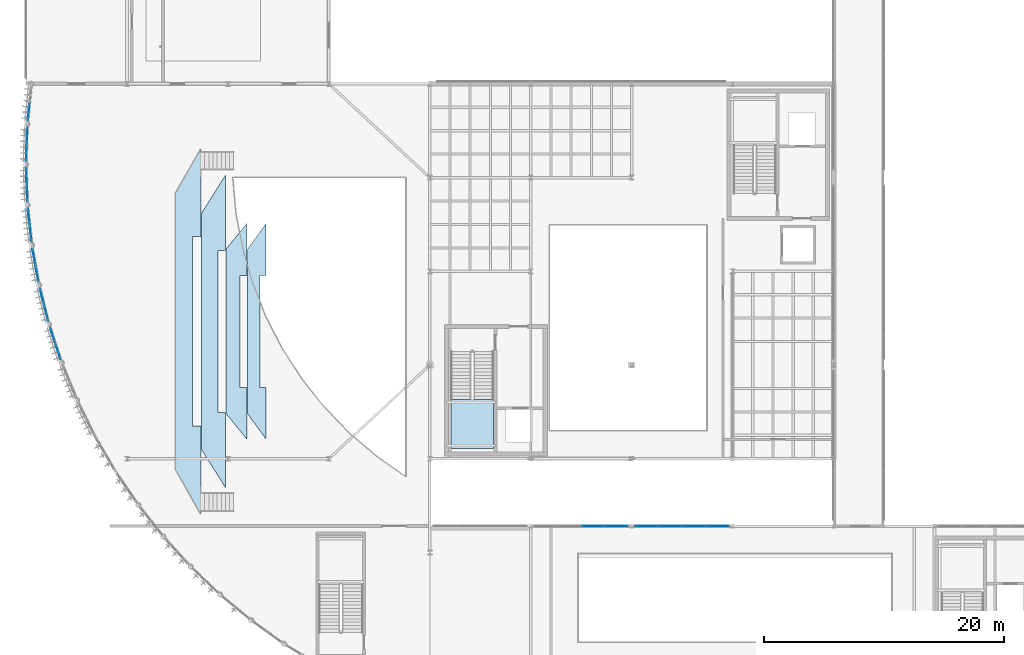
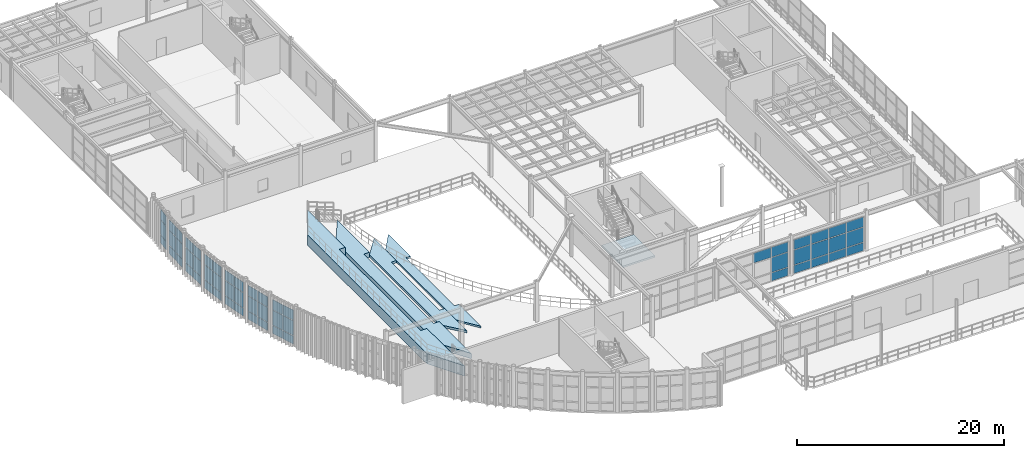
# One storey, part 82 of 116: 55 plates, 5 slabs, 10 elements without a shape of their own.
"""IFC4 building model written with IfcOpenShell, lengths in metres."""

from ifc_helpers import new_model, si_unit, direction, frame, origin, origin_2d, place, context, subcontext, project, spatial, polyline, rectangle, outline, extrude, material, layer, layer_set, type_object, element, aggregate, save


model = new_model("IFC4")

# Units and contexts
model_context = context("Model", 3, precision=1e-05, world=origin(), true_north=direction((0.0, 1.0)))
body_context = subcontext(model_context, "Body", "Model", "MODEL_VIEW")
ifc_project = project(units=[si_unit("LENGTHUNIT", "METRE"), si_unit("AREAUNIT", "SQUARE_METRE"), si_unit("VOLUMEUNIT", "CUBIC_METRE"), si_unit("PLANEANGLEUNIT", "RADIAN"), si_unit("MASSUNIT", "GRAM", prefix="KILO")], contexts=[model_context])

# Site, building, storey
site_placement = place(None, origin())
site = spatial("IfcSite", under=ifc_project, at=site_placement, CompositionType="ELEMENT")
building_placement = place(site_placement, origin())
building = spatial("IfcBuilding", under=site, at=building_placement, Name="Selat Folded Stagehouse", CompositionType="ELEMENT")
storey_placement = place(building_placement, frame((0.0, 0.0, 5.39990234375)))
storey = spatial("IfcBuildingStorey", under=building, at=storey_placement, Name="L01", CompositionType="ELEMENT", Elevation=5.39990234375)

# Curtain wall, plates
ifc_material_1 = material(Name="Aluminium 6063-T6", Category="aluminium")
ifc_layer_1 = layer(ifc_material_1, 0.195068359375)
ifc_layer_set_1 = layer_set([ifc_layer_1], Name="Aluminium 6063-T6")
curtain_wall_type_1 = type_object("IfcCurtainWallType", Name="CW-FYR-COURT", PredefinedType="NOTDEFINED", material=ifc_layer_set_1)
curtain_wall_1_placement = place(storey_placement, origin())
curtain_wall_1 = element("IfcCurtainWall", 1, at=curtain_wall_1_placement, inside=storey, type_object=curtain_wall_type_1, Name="L01 curtain wall CW-FYR-L01-08", PredefinedType="NOTDEFINED")
ifc_material_2 = material(Name="Clear laminated double glazing", Category="glass")
ifc_layer_2 = layer(ifc_material_2, 0.028076171875)
ifc_layer_set_2 = layer_set([ifc_layer_2], Name="Clear laminated double glazing")
plate_type_1 = type_object("IfcPlateType", Name="CWP-GLZ-DGU28", PredefinedType="CURTAIN_PANEL", material=ifc_layer_set_2)
plate_1_placement = place(storey_placement, frame((47.1875, 17.800048828125, 2.88232421875), z_axis=(0.0, 0.0, 1.0), x_axis=(1.0, 0.0, 0.0)))
plate_1 = element("IfcPlate", 2, at=plate_1_placement, type_object=plate_type_1, Name="CW-05 panel 3.3", PredefinedType="CURTAIN_PANEL", context=body_context, shape_type="SweptSolid", body=[
    extrude(rectangle(XDim=1.909912109375, YDim=0.028076171875, at=origin_2d()), origin(), (0.0, 0.0, 1.0), 1.172607421875),
])
plate_2_placement = place(storey_placement, frame((49.146240234375, 17.800048828125, 0.06494140625), z_axis=(0.0, 0.0, 1.0), x_axis=(1.0, 0.0, 0.0)))
plate_2 = element("IfcPlate", 3, at=plate_2_placement, type_object=plate_type_1, Name="CW-05 panel 4.1", PredefinedType="CURTAIN_PANEL", context=body_context, shape_type="SweptSolid", body=[
    extrude(rectangle(XDim=1.87744140625, YDim=0.028076171875, at=origin_2d()), origin(), (0.0, 0.0, 1.0), 0.952392578125),
])
plate_3_placement = place(storey_placement, frame((49.146240234375, 17.800048828125, 1.08251953125), z_axis=(0.0, 0.0, 1.0), x_axis=(1.0, 0.0, 0.0)))
plate_3 = element("IfcPlate", 4, at=plate_3_placement, type_object=plate_type_1, Name="CW-05 panel 4.2", PredefinedType="CURTAIN_PANEL", context=body_context, shape_type="SweptSolid", body=[
    extrude(rectangle(XDim=1.87744140625, YDim=0.028076171875, at=origin_2d()), origin(), (0.0, 0.0, 1.0), 1.735107421875),
])
plate_4_placement = place(storey_placement, frame((49.146240234375, 17.800048828125, 2.88232421875), z_axis=(0.0, 0.0, 1.0), x_axis=(1.0, 0.0, 0.0)))
plate_4 = element("IfcPlate", 5, at=plate_4_placement, type_object=plate_type_1, Name="CW-05 panel 4.3", PredefinedType="CURTAIN_PANEL", context=body_context, shape_type="SweptSolid", body=[
    extrude(rectangle(XDim=1.87744140625, YDim=0.028076171875, at=origin_2d()), origin(), (0.0, 0.0, 1.0), 1.172607421875),
])
aggregate(curtain_wall_1, [plate_1, plate_2, plate_3, plate_4])

curtain_wall_2_placement = place(storey_placement, origin())
curtain_wall_2 = element("IfcCurtainWall", 6, at=curtain_wall_2_placement, inside=storey, type_object=curtain_wall_type_1, Name="L01 curtain wall CW-FYR-L01-09", PredefinedType="NOTDEFINED")
plate_5_placement = place(storey_placement, frame((51.65380859375, 17.800048828125, 0.06494140625), z_axis=(0.0, 0.0, 1.0), x_axis=(1.0, 0.0, 0.0)))
plate_5 = element("IfcPlate", 7, at=plate_5_placement, type_object=plate_type_1, Name="CW-05 panel 1.1", PredefinedType="CURTAIN_PANEL", context=body_context, shape_type="SweptSolid", body=[
    extrude(rectangle(XDim=1.87744140625, YDim=0.028076171875, at=origin_2d()), origin(), (0.0, 0.0, 1.0), 0.952392578125),
])
plate_6_placement = place(storey_placement, frame((51.65380859375, 17.800048828125, 1.08251953125), z_axis=(0.0, 0.0, 1.0), x_axis=(1.0, 0.0, 0.0)))
plate_6 = element("IfcPlate", 8, at=plate_6_placement, type_object=plate_type_1, Name="CW-05 panel 1.2", PredefinedType="CURTAIN_PANEL", context=body_context, shape_type="SweptSolid", body=[
    extrude(rectangle(XDim=1.87744140625, YDim=0.028076171875, at=origin_2d()), origin(), (0.0, 0.0, 1.0), 1.735107421875),
])
plate_7_placement = place(storey_placement, frame((51.65380859375, 17.800048828125, 2.88232421875), z_axis=(0.0, 0.0, 1.0), x_axis=(1.0, 0.0, 0.0)))
plate_7 = element("IfcPlate", 9, at=plate_7_placement, type_object=plate_type_1, Name="CW-05 panel 1.3", PredefinedType="CURTAIN_PANEL", context=body_context, shape_type="SweptSolid", body=[
    extrude(rectangle(XDim=1.87744140625, YDim=0.028076171875, at=origin_2d()), origin(), (0.0, 0.0, 1.0), 1.172607421875),
])
plate_8_placement = place(storey_placement, frame((53.612548828125, 17.800048828125, 0.06494140625), z_axis=(0.0, 0.0, 1.0), x_axis=(1.0, 0.0, 0.0)))
plate_8 = element("IfcPlate", 10, at=plate_8_placement, type_object=plate_type_1, Name="CW-05 panel 2.1", PredefinedType="CURTAIN_PANEL", context=body_context, shape_type="SweptSolid", body=[
    extrude(rectangle(XDim=1.909912109375, YDim=0.028076171875, at=origin_2d()), origin(), (0.0, 0.0, 1.0), 0.952392578125),
])
plate_9_placement = place(storey_placement, frame((53.612548828125, 17.800048828125, 1.08251953125), z_axis=(0.0, 0.0, 1.0), x_axis=(1.0, 0.0, 0.0)))
plate_9 = element("IfcPlate", 11, at=plate_9_placement, type_object=plate_type_1, Name="CW-05 panel 2.2", PredefinedType="CURTAIN_PANEL", context=body_context, shape_type="SweptSolid", body=[
    extrude(rectangle(XDim=1.909912109375, YDim=0.028076171875, at=origin_2d()), origin(), (0.0, 0.0, 1.0), 1.735107421875),
])
plate_10_placement = place(storey_placement, frame((53.612548828125, 17.800048828125, 2.88232421875), z_axis=(0.0, 0.0, 1.0), x_axis=(1.0, 0.0, 0.0)))
plate_10 = element("IfcPlate", 12, at=plate_10_placement, type_object=plate_type_1, Name="CW-05 panel 2.3", PredefinedType="CURTAIN_PANEL", context=body_context, shape_type="SweptSolid", body=[
    extrude(rectangle(XDim=1.909912109375, YDim=0.028076171875, at=origin_2d()), origin(), (0.0, 0.0, 1.0), 1.172607421875),
])
plate_11_placement = place(storey_placement, frame((55.58740234375, 17.800048828125, 0.06494140625), z_axis=(0.0, 0.0, 1.0), x_axis=(1.0, 0.0, 0.0)))
plate_11 = element("IfcPlate", 13, at=plate_11_placement, type_object=plate_type_1, Name="CW-05 panel 3.1", PredefinedType="CURTAIN_PANEL", context=body_context, shape_type="SweptSolid", body=[
    extrude(rectangle(XDim=1.909912109375, YDim=0.028076171875, at=origin_2d()), origin(), (0.0, 0.0, 1.0), 0.952392578125),
])
plate_12_placement = place(storey_placement, frame((55.58740234375, 17.800048828125, 1.08251953125), z_axis=(0.0, 0.0, 1.0), x_axis=(1.0, 0.0, 0.0)))
plate_12 = element("IfcPlate", 14, at=plate_12_placement, type_object=plate_type_1, Name="CW-05 panel 3.2", PredefinedType="CURTAIN_PANEL", context=body_context, shape_type="SweptSolid", body=[
    extrude(rectangle(XDim=1.909912109375, YDim=0.028076171875, at=origin_2d()), origin(), (0.0, 0.0, 1.0), 1.735107421875),
])
plate_13_placement = place(storey_placement, frame((55.58740234375, 17.800048828125, 2.88232421875), z_axis=(0.0, 0.0, 1.0), x_axis=(1.0, 0.0, 0.0)))
plate_13 = element("IfcPlate", 15, at=plate_13_placement, type_object=plate_type_1, Name="CW-05 panel 3.3", PredefinedType="CURTAIN_PANEL", context=body_context, shape_type="SweptSolid", body=[
    extrude(rectangle(XDim=1.909912109375, YDim=0.028076171875, at=origin_2d()), origin(), (0.0, 0.0, 1.0), 1.172607421875),
])
plate_14_placement = place(storey_placement, frame((57.546142578125, 17.800048828125, 0.06494140625), z_axis=(0.0, 0.0, 1.0), x_axis=(1.0, 0.0, 0.0)))
plate_14 = element("IfcPlate", 16, at=plate_14_placement, type_object=plate_type_1, Name="CW-05 panel 4.1", PredefinedType="CURTAIN_PANEL", context=body_context, shape_type="SweptSolid", body=[
    extrude(rectangle(XDim=1.87744140625, YDim=0.028076171875, at=origin_2d()), origin(), (0.0, 0.0, 1.0), 0.952392578125),
])
plate_15_placement = place(storey_placement, frame((57.546142578125, 17.800048828125, 1.08251953125), z_axis=(0.0, 0.0, 1.0), x_axis=(1.0, 0.0, 0.0)))
plate_15 = element("IfcPlate", 17, at=plate_15_placement, type_object=plate_type_1, Name="CW-05 panel 4.2", PredefinedType="CURTAIN_PANEL", context=body_context, shape_type="SweptSolid", body=[
    extrude(rectangle(XDim=1.87744140625, YDim=0.028076171875, at=origin_2d()), origin(), (0.0, 0.0, 1.0), 1.735107421875),
])
plate_16_placement = place(storey_placement, frame((57.546142578125, 17.800048828125, 2.88232421875), z_axis=(0.0, 0.0, 1.0), x_axis=(1.0, 0.0, 0.0)))
plate_16 = element("IfcPlate", 18, at=plate_16_placement, type_object=plate_type_1, Name="CW-05 panel 4.3", PredefinedType="CURTAIN_PANEL", context=body_context, shape_type="SweptSolid", body=[
    extrude(rectangle(XDim=1.87744140625, YDim=0.028076171875, at=origin_2d()), origin(), (0.0, 0.0, 1.0), 1.172607421875),
])
aggregate(curtain_wall_2, [plate_5, plate_6, plate_7, plate_8, plate_9, plate_10, plate_11, plate_12, plate_13, plate_14, plate_15, plate_16])

ifc_layer_3 = layer(ifc_material_1, 0.199951171875)
ifc_layer_set_3 = layer_set([ifc_layer_3], Name="Aluminium 6063-T6")
curtain_wall_type_2 = type_object("IfcCurtainWallType", Name="CW-DRM-MID", PredefinedType="NOTDEFINED", material=ifc_layer_set_3)
curtain_wall_3_placement = place(storey_placement, origin())
curtain_wall_3 = element("IfcCurtainWall", 19, at=curtain_wall_3_placement, inside=storey, type_object=curtain_wall_type_2, Name="L01 curtain wall CW-DRM-L01-00", PredefinedType="NOTDEFINED")
ifc_material_3 = material(Name="Acoustic laminated double glazing", Category="glass")
ifc_layer_4 = layer(ifc_material_3, 0.035888671875)
ifc_layer_set_4 = layer_set([ifc_layer_4], Name="Acoustic laminated double glazing")
plate_type_2 = type_object("IfcPlateType", Name="CWP-GLZ-DGU36", PredefinedType="CURTAIN_PANEL", material=ifc_layer_set_4)
plate_17_placement = place(storey_placement, frame((0.211181640625, 52.228271484375, 0.06982421875), z_axis=(0.0, 0.0, 1.0), x_axis=(0.102616116059, 0.994721032614, 0.0)))
plate_17 = element("IfcPlate", 20, at=plate_17_placement, type_object=plate_type_2, Name="CW-02 panel 1.1", PredefinedType="CURTAIN_PANEL", context=body_context, shape_type="SweptSolid", body=[
    extrude(rectangle(XDim=1.32958984375, YDim=0.035888671875, at=origin_2d()), origin(), (0.0, 0.0, 1.0), 0.945068359375),
])
plate_18_placement = place(storey_placement, frame((0.211181640625, 52.228271484375, 1.085205078125), z_axis=(0.0, 0.0, 1.0), x_axis=(0.102616116059, 0.994721032614, 0.0)))
plate_18 = element("IfcPlate", 21, at=plate_18_placement, type_object=plate_type_2, Name="CW-02 panel 1.2", PredefinedType="CURTAIN_PANEL", context=body_context, shape_type="SweptSolid", body=[
    extrude(rectangle(XDim=1.32958984375, YDim=0.035888671875, at=origin_2d()), origin(), (0.0, 0.0, 1.0), 1.72998046875),
])
plate_19_placement = place(storey_placement, frame((0.211181640625, 52.228271484375, 2.885009765625), z_axis=(0.0, 0.0, 1.0), x_axis=(0.102616116059, 0.994721032614, 0.0)))
plate_19 = element("IfcPlate", 22, at=plate_19_placement, type_object=plate_type_2, Name="CW-02 panel 1.3", PredefinedType="CURTAIN_PANEL", context=body_context, shape_type="SweptSolid", body=[
    extrude(rectangle(XDim=1.32958984375, YDim=0.035888671875, at=origin_2d()), origin(), (0.0, 0.0, 1.0), 1.18505859375),
])
aggregate(curtain_wall_3, [plate_17, plate_18, plate_19])

curtain_wall_4_placement = place(storey_placement, origin())
curtain_wall_4 = element("IfcCurtainWall", 23, at=curtain_wall_4_placement, inside=storey, type_object=curtain_wall_type_2, Name="L01 curtain wall CW-DRM-L01-01", PredefinedType="NOTDEFINED")
plate_20_placement = place(storey_placement, frame((0.0322265625, 48.86572265625, 0.06982421875), z_axis=(0.0, 0.0, 1.0), x_axis=(0.032625434862, 0.999467648801, 0.0)))
plate_20 = element("IfcPlate", 24, at=plate_20_placement, type_object=plate_type_2, Name="CW-02 panel 1.1", PredefinedType="CURTAIN_PANEL", context=body_context, shape_type="SweptSolid", body=[
    extrude(rectangle(XDim=1.329345703125, YDim=0.035888671875, at=origin_2d()), origin(), (0.0, 0.0, 1.0), 0.945068359375),
])
plate_21_placement = place(storey_placement, frame((0.0322265625, 48.86572265625, 1.085205078125), z_axis=(0.0, 0.0, 1.0), x_axis=(0.032625434862, 0.999467648801, 0.0)))
plate_21 = element("IfcPlate", 25, at=plate_21_placement, type_object=plate_type_2, Name="CW-02 panel 1.2", PredefinedType="CURTAIN_PANEL", context=body_context, shape_type="SweptSolid", body=[
    extrude(rectangle(XDim=1.329345703125, YDim=0.035888671875, at=origin_2d()), origin(), (0.0, 0.0, 1.0), 1.72998046875),
])
plate_22_placement = place(storey_placement, frame((0.0322265625, 48.86572265625, 2.885009765625), z_axis=(0.0, 0.0, 1.0), x_axis=(0.032625434862, 0.999467648801, 0.0)))
plate_22 = element("IfcPlate", 26, at=plate_22_placement, type_object=plate_type_2, Name="CW-02 panel 1.3", PredefinedType="CURTAIN_PANEL", context=body_context, shape_type="SweptSolid", body=[
    extrude(rectangle(XDim=1.329345703125, YDim=0.035888671875, at=origin_2d()), origin(), (0.0, 0.0, 1.0), 1.18505859375),
])
plate_23_placement = place(storey_placement, frame((0.077880859375, 50.2646484375, 0.06982421875), z_axis=(0.0, 0.0, 1.0), x_axis=(0.032625434862, 0.999467648801, 0.0)))
plate_23 = element("IfcPlate", 27, at=plate_23_placement, type_object=plate_type_2, Name="CW-02 panel 2.1", PredefinedType="CURTAIN_PANEL", context=body_context, shape_type="SweptSolid", body=[
    extrude(rectangle(XDim=1.329345703125, YDim=0.035888671875, at=origin_2d()), origin(), (0.0, 0.0, 1.0), 0.945068359375),
])
plate_24_placement = place(storey_placement, frame((0.077880859375, 50.2646484375, 1.085205078125), z_axis=(0.0, 0.0, 1.0), x_axis=(0.032625434862, 0.999467648801, 0.0)))
plate_24 = element("IfcPlate", 28, at=plate_24_placement, type_object=plate_type_2, Name="CW-02 panel 2.2", PredefinedType="CURTAIN_PANEL", context=body_context, shape_type="SweptSolid", body=[
    extrude(rectangle(XDim=1.329345703125, YDim=0.035888671875, at=origin_2d()), origin(), (0.0, 0.0, 1.0), 1.72998046875),
])
plate_25_placement = place(storey_placement, frame((0.077880859375, 50.2646484375, 2.885009765625), z_axis=(0.0, 0.0, 1.0), x_axis=(0.032625434862, 0.999467648801, 0.0)))
plate_25 = element("IfcPlate", 29, at=plate_25_placement, type_object=plate_type_2, Name="CW-02 panel 2.3", PredefinedType="CURTAIN_PANEL", context=body_context, shape_type="SweptSolid", body=[
    extrude(rectangle(XDim=1.329345703125, YDim=0.035888671875, at=origin_2d()), origin(), (0.0, 0.0, 1.0), 1.18505859375),
])
aggregate(curtain_wall_4, [plate_20, plate_21, plate_22, plate_23, plate_24, plate_25])

curtain_wall_5_placement = place(storey_placement, origin())
curtain_wall_5 = element("IfcCurtainWall", 30, at=curtain_wall_5_placement, inside=storey, type_object=curtain_wall_type_2, Name="L01 curtain wall CW-DRM-L01-02", PredefinedType="NOTDEFINED")
plate_26_placement = place(storey_placement, frame((0.089599609375, 45.4990234375, 0.06982421875), z_axis=(0.0, 0.0, 1.0), x_axis=(-0.037573727908, 0.999293858167, 0.0)))
plate_26 = element("IfcPlate", 31, at=plate_26_placement, type_object=plate_type_2, Name="CW-02 panel 1.1", PredefinedType="CURTAIN_PANEL", context=body_context, shape_type="SweptSolid", body=[
    extrude(rectangle(XDim=1.32958984375, YDim=0.035888671875, at=origin_2d()), origin(), (0.0, 0.0, 1.0), 0.945068359375),
])
plate_27_placement = place(storey_placement, frame((0.089599609375, 45.4990234375, 1.085205078125), z_axis=(0.0, 0.0, 1.0), x_axis=(-0.037573727908, 0.999293858167, 0.0)))
plate_27 = element("IfcPlate", 32, at=plate_27_placement, type_object=plate_type_2, Name="CW-02 panel 1.2", PredefinedType="CURTAIN_PANEL", context=body_context, shape_type="SweptSolid", body=[
    extrude(rectangle(XDim=1.32958984375, YDim=0.035888671875, at=origin_2d()), origin(), (0.0, 0.0, 1.0), 1.72998046875),
])
plate_28_placement = place(storey_placement, frame((0.089599609375, 45.4990234375, 2.885009765625), z_axis=(0.0, 0.0, 1.0), x_axis=(-0.037573727908, 0.999293858167, 0.0)))
plate_28 = element("IfcPlate", 33, at=plate_28_placement, type_object=plate_type_2, Name="CW-02 panel 1.3", PredefinedType="CURTAIN_PANEL", context=body_context, shape_type="SweptSolid", body=[
    extrude(rectangle(XDim=1.32958984375, YDim=0.035888671875, at=origin_2d()), origin(), (0.0, 0.0, 1.0), 1.18505859375),
])
plate_29_placement = place(storey_placement, frame((0.037109375, 46.8974609375, 0.06982421875), z_axis=(0.0, 0.0, 1.0), x_axis=(-0.037573727908, 0.999293858167, 0.0)))
plate_29 = element("IfcPlate", 34, at=plate_29_placement, type_object=plate_type_2, Name="CW-02 panel 2.1", PredefinedType="CURTAIN_PANEL", context=body_context, shape_type="SweptSolid", body=[
    extrude(rectangle(XDim=1.32958984375, YDim=0.035888671875, at=origin_2d()), origin(), (0.0, 0.0, 1.0), 0.945068359375),
])
plate_30_placement = place(storey_placement, frame((0.037109375, 46.8974609375, 1.085205078125), z_axis=(0.0, 0.0, 1.0), x_axis=(-0.037573727908, 0.999293858167, 0.0)))
plate_30 = element("IfcPlate", 35, at=plate_30_placement, type_object=plate_type_2, Name="CW-02 panel 2.2", PredefinedType="CURTAIN_PANEL", context=body_context, shape_type="SweptSolid", body=[
    extrude(rectangle(XDim=1.32958984375, YDim=0.035888671875, at=origin_2d()), origin(), (0.0, 0.0, 1.0), 1.72998046875),
])
plate_31_placement = place(storey_placement, frame((0.037109375, 46.8974609375, 2.885009765625), z_axis=(0.0, 0.0, 1.0), x_axis=(-0.037573727908, 0.999293858167, 0.0)))
plate_31 = element("IfcPlate", 36, at=plate_31_placement, type_object=plate_type_2, Name="CW-02 panel 2.3", PredefinedType="CURTAIN_PANEL", context=body_context, shape_type="SweptSolid", body=[
    extrude(rectangle(XDim=1.32958984375, YDim=0.035888671875, at=origin_2d()), origin(), (0.0, 0.0, 1.0), 1.18505859375),
])
aggregate(curtain_wall_5, [plate_26, plate_27, plate_28, plate_29, plate_30, plate_31])

curtain_wall_6_placement = place(storey_placement, origin())
curtain_wall_6 = element("IfcCurtainWall", 37, at=curtain_wall_6_placement, inside=storey, type_object=curtain_wall_type_2, Name="L01 curtain wall CW-DRM-L01-03", PredefinedType="NOTDEFINED")
plate_32_placement = place(storey_placement, frame((0.383056640625, 42.14453125, 0.06982421875), z_axis=(0.0, 0.0, 1.0), x_axis=(-0.107558193428, 0.994198790497, 0.0)))
plate_32 = element("IfcPlate", 38, at=plate_32_placement, type_object=plate_type_2, Name="CW-02 panel 1.1", PredefinedType="CURTAIN_PANEL", context=body_context, shape_type="SweptSolid", body=[
    extrude(rectangle(XDim=1.32958984375, YDim=0.035888671875, at=origin_2d()), origin(), (0.0, 0.0, 1.0), 0.945068359375),
])
plate_33_placement = place(storey_placement, frame((0.383056640625, 42.14453125, 1.085205078125), z_axis=(0.0, 0.0, 1.0), x_axis=(-0.107558193428, 0.994198790497, 0.0)))
plate_33 = element("IfcPlate", 39, at=plate_33_placement, type_object=plate_type_2, Name="CW-02 panel 1.2", PredefinedType="CURTAIN_PANEL", context=body_context, shape_type="SweptSolid", body=[
    extrude(rectangle(XDim=1.32958984375, YDim=0.035888671875, at=origin_2d()), origin(), (0.0, 0.0, 1.0), 1.72998046875),
])
plate_34_placement = place(storey_placement, frame((0.383056640625, 42.14453125, 2.885009765625), z_axis=(0.0, 0.0, 1.0), x_axis=(-0.107558193428, 0.994198790497, 0.0)))
plate_34 = element("IfcPlate", 40, at=plate_34_placement, type_object=plate_type_2, Name="CW-02 panel 1.3", PredefinedType="CURTAIN_PANEL", context=body_context, shape_type="SweptSolid", body=[
    extrude(rectangle(XDim=1.32958984375, YDim=0.035888671875, at=origin_2d()), origin(), (0.0, 0.0, 1.0), 1.18505859375),
])
plate_35_placement = place(storey_placement, frame((0.232666015625, 43.535888671875, 0.06982421875), z_axis=(0.0, 0.0, 1.0), x_axis=(-0.107558193428, 0.994198790497, 0.0)))
plate_35 = element("IfcPlate", 41, at=plate_35_placement, type_object=plate_type_2, Name="CW-02 panel 2.1", PredefinedType="CURTAIN_PANEL", context=body_context, shape_type="SweptSolid", body=[
    extrude(rectangle(XDim=1.32958984375, YDim=0.035888671875, at=origin_2d()), origin(), (0.0, 0.0, 1.0), 0.945068359375),
])
plate_36_placement = place(storey_placement, frame((0.232666015625, 43.535888671875, 1.085205078125), z_axis=(0.0, 0.0, 1.0), x_axis=(-0.107558193428, 0.994198790497, 0.0)))
plate_36 = element("IfcPlate", 42, at=plate_36_placement, type_object=plate_type_2, Name="CW-02 panel 2.2", PredefinedType="CURTAIN_PANEL", context=body_context, shape_type="SweptSolid", body=[
    extrude(rectangle(XDim=1.32958984375, YDim=0.035888671875, at=origin_2d()), origin(), (0.0, 0.0, 1.0), 1.72998046875),
])
plate_37_placement = place(storey_placement, frame((0.232666015625, 43.535888671875, 2.885009765625), z_axis=(0.0, 0.0, 1.0), x_axis=(-0.107558193428, 0.994198790497, 0.0)))
plate_37 = element("IfcPlate", 43, at=plate_37_placement, type_object=plate_type_2, Name="CW-02 panel 2.3", PredefinedType="CURTAIN_PANEL", context=body_context, shape_type="SweptSolid", body=[
    extrude(rectangle(XDim=1.32958984375, YDim=0.035888671875, at=origin_2d()), origin(), (0.0, 0.0, 1.0), 1.18505859375),
])
aggregate(curtain_wall_6, [plate_32, plate_33, plate_34, plate_35, plate_36, plate_37])

curtain_wall_7_placement = place(storey_placement, origin())
curtain_wall_7 = element("IfcCurtainWall", 44, at=curtain_wall_7_placement, inside=storey, type_object=curtain_wall_type_2, Name="L01 curtain wall CW-DRM-L01-04", PredefinedType="NOTDEFINED")
plate_38_placement = place(storey_placement, frame((0.9111328125, 38.81884765625, 0.06982421875), z_axis=(0.0, 0.0, 1.0), x_axis=(-0.177001739435, 0.984210538572, 0.0)))
plate_38 = element("IfcPlate", 45, at=plate_38_placement, type_object=plate_type_2, Name="CW-02 panel 1.1", PredefinedType="CURTAIN_PANEL", context=body_context, shape_type="SweptSolid", body=[
    extrude(rectangle(XDim=1.329345703125, YDim=0.035888671875, at=origin_2d()), origin(), (0.0, 0.0, 1.0), 0.945068359375),
])
plate_39_placement = place(storey_placement, frame((0.9111328125, 38.81884765625, 1.085205078125), z_axis=(0.0, 0.0, 1.0), x_axis=(-0.177001739435, 0.984210538572, 0.0)))
plate_39 = element("IfcPlate", 46, at=plate_39_placement, type_object=plate_type_2, Name="CW-02 panel 1.2", PredefinedType="CURTAIN_PANEL", context=body_context, shape_type="SweptSolid", body=[
    extrude(rectangle(XDim=1.329345703125, YDim=0.035888671875, at=origin_2d()), origin(), (0.0, 0.0, 1.0), 1.72998046875),
])
plate_40_placement = place(storey_placement, frame((0.9111328125, 38.81884765625, 2.885009765625), z_axis=(0.0, 0.0, 1.0), x_axis=(-0.177001739435, 0.984210538572, 0.0)))
plate_40 = element("IfcPlate", 47, at=plate_40_placement, type_object=plate_type_2, Name="CW-02 panel 1.3", PredefinedType="CURTAIN_PANEL", context=body_context, shape_type="SweptSolid", body=[
    extrude(rectangle(XDim=1.329345703125, YDim=0.035888671875, at=origin_2d()), origin(), (0.0, 0.0, 1.0), 1.18505859375),
])
plate_41_placement = place(storey_placement, frame((0.663330078125, 40.1962890625, 0.06982421875), z_axis=(0.0, 0.0, 1.0), x_axis=(-0.177001739435, 0.984210538572, 0.0)))
plate_41 = element("IfcPlate", 48, at=plate_41_placement, type_object=plate_type_2, Name="CW-02 panel 2.1", PredefinedType="CURTAIN_PANEL", context=body_context, shape_type="SweptSolid", body=[
    extrude(rectangle(XDim=1.329345703125, YDim=0.035888671875, at=origin_2d()), origin(), (0.0, 0.0, 1.0), 0.945068359375),
])
plate_42_placement = place(storey_placement, frame((0.663330078125, 40.1962890625, 1.085205078125), z_axis=(0.0, 0.0, 1.0), x_axis=(-0.177001739435, 0.984210538572, 0.0)))
plate_42 = element("IfcPlate", 49, at=plate_42_placement, type_object=plate_type_2, Name="CW-02 panel 2.2", PredefinedType="CURTAIN_PANEL", context=body_context, shape_type="SweptSolid", body=[
    extrude(rectangle(XDim=1.329345703125, YDim=0.035888671875, at=origin_2d()), origin(), (0.0, 0.0, 1.0), 1.72998046875),
])
plate_43_placement = place(storey_placement, frame((0.663330078125, 40.1962890625, 2.885009765625), z_axis=(0.0, 0.0, 1.0), x_axis=(-0.177001739435, 0.984210538572, 0.0)))
plate_43 = element("IfcPlate", 50, at=plate_43_placement, type_object=plate_type_2, Name="CW-02 panel 2.3", PredefinedType="CURTAIN_PANEL", context=body_context, shape_type="SweptSolid", body=[
    extrude(rectangle(XDim=1.329345703125, YDim=0.035888671875, at=origin_2d()), origin(), (0.0, 0.0, 1.0), 1.18505859375),
])
aggregate(curtain_wall_7, [plate_38, plate_39, plate_40, plate_41, plate_42, plate_43])

curtain_wall_8_placement = place(storey_placement, origin())
curtain_wall_8 = element("IfcCurtainWall", 51, at=curtain_wall_8_placement, inside=storey, type_object=curtain_wall_type_2, Name="L01 curtain wall CW-DRM-L01-05", PredefinedType="NOTDEFINED")
plate_44_placement = place(storey_placement, frame((1.671142578125, 35.53857421875, 0.06982421875), z_axis=(0.0, 0.0, 1.0), x_axis=(-0.24561797686, 0.969366705351, 0.0)))
plate_44 = element("IfcPlate", 52, at=plate_44_placement, type_object=plate_type_2, Name="CW-02 panel 1.1", PredefinedType="CURTAIN_PANEL", context=body_context, shape_type="SweptSolid", body=[
    extrude(rectangle(XDim=1.32958984375, YDim=0.035888671875, at=origin_2d()), origin(), (0.0, 0.0, 1.0), 0.945068359375),
])
plate_45_placement = place(storey_placement, frame((1.671142578125, 35.53857421875, 1.085205078125), z_axis=(0.0, 0.0, 1.0), x_axis=(-0.24561797686, 0.969366705351, 0.0)))
plate_45 = element("IfcPlate", 53, at=plate_45_placement, type_object=plate_type_2, Name="CW-02 panel 1.2", PredefinedType="CURTAIN_PANEL", context=body_context, shape_type="SweptSolid", body=[
    extrude(rectangle(XDim=1.32958984375, YDim=0.035888671875, at=origin_2d()), origin(), (0.0, 0.0, 1.0), 1.72998046875),
])
plate_46_placement = place(storey_placement, frame((1.671142578125, 35.53857421875, 2.885009765625), z_axis=(0.0, 0.0, 1.0), x_axis=(-0.24561797686, 0.969366705351, 0.0)))
plate_46 = element("IfcPlate", 54, at=plate_46_placement, type_object=plate_type_2, Name="CW-02 panel 1.3", PredefinedType="CURTAIN_PANEL", context=body_context, shape_type="SweptSolid", body=[
    extrude(rectangle(XDim=1.32958984375, YDim=0.035888671875, at=origin_2d()), origin(), (0.0, 0.0, 1.0), 1.18505859375),
])
plate_47_placement = place(storey_placement, frame((1.327392578125, 36.89501953125, 0.06982421875), z_axis=(0.0, 0.0, 1.0), x_axis=(-0.24561797686, 0.969366705351, 0.0)))
plate_47 = element("IfcPlate", 55, at=plate_47_placement, type_object=plate_type_2, Name="CW-02 panel 2.1", PredefinedType="CURTAIN_PANEL", context=body_context, shape_type="SweptSolid", body=[
    extrude(rectangle(XDim=1.32958984375, YDim=0.035888671875, at=origin_2d()), origin(), (0.0, 0.0, 1.0), 0.945068359375),
])
plate_48_placement = place(storey_placement, frame((1.327392578125, 36.89501953125, 1.085205078125), z_axis=(0.0, 0.0, 1.0), x_axis=(-0.24561797686, 0.969366705351, 0.0)))
plate_48 = element("IfcPlate", 56, at=plate_48_placement, type_object=plate_type_2, Name="CW-02 panel 2.2", PredefinedType="CURTAIN_PANEL", context=body_context, shape_type="SweptSolid", body=[
    extrude(rectangle(XDim=1.32958984375, YDim=0.035888671875, at=origin_2d()), origin(), (0.0, 0.0, 1.0), 1.72998046875),
])
plate_49_placement = place(storey_placement, frame((1.327392578125, 36.89501953125, 2.885009765625), z_axis=(0.0, 0.0, 1.0), x_axis=(-0.24561797686, 0.969366705351, 0.0)))
plate_49 = element("IfcPlate", 57, at=plate_49_placement, type_object=plate_type_2, Name="CW-02 panel 2.3", PredefinedType="CURTAIN_PANEL", context=body_context, shape_type="SweptSolid", body=[
    extrude(rectangle(XDim=1.32958984375, YDim=0.035888671875, at=origin_2d()), origin(), (0.0, 0.0, 1.0), 1.18505859375),
])
aggregate(curtain_wall_8, [plate_44, plate_45, plate_46, plate_47, plate_48, plate_49])

curtain_wall_9_placement = place(storey_placement, origin())
curtain_wall_9 = element("IfcCurtainWall", 58, at=curtain_wall_9_placement, inside=storey, type_object=curtain_wall_type_2, Name="L01 curtain wall CW-DRM-L01-06", PredefinedType="NOTDEFINED")
plate_50_placement = place(storey_placement, frame((2.659423828125, 32.3193359375, 0.06982421875), z_axis=(0.0, 0.0, 1.0), x_axis=(-0.312994904395, 0.949754805107, 0.0)))
plate_50 = element("IfcPlate", 59, at=plate_50_placement, type_object=plate_type_2, Name="CW-02 panel 1.1", PredefinedType="CURTAIN_PANEL", context=body_context, shape_type="SweptSolid", body=[
    extrude(rectangle(XDim=1.32958984375, YDim=0.035888671875, at=origin_2d()), origin(), (0.0, 0.0, 1.0), 0.945068359375),
])
plate_51_placement = place(storey_placement, frame((2.659423828125, 32.3193359375, 1.085205078125), z_axis=(0.0, 0.0, 1.0), x_axis=(-0.312994904395, 0.949754805107, 0.0)))
plate_51 = element("IfcPlate", 60, at=plate_51_placement, type_object=plate_type_2, Name="CW-02 panel 1.2", PredefinedType="CURTAIN_PANEL", context=body_context, shape_type="SweptSolid", body=[
    extrude(rectangle(XDim=1.32958984375, YDim=0.035888671875, at=origin_2d()), origin(), (0.0, 0.0, 1.0), 1.72998046875),
])
plate_52_placement = place(storey_placement, frame((2.659423828125, 32.3193359375, 2.885009765625), z_axis=(0.0, 0.0, 1.0), x_axis=(-0.312994904395, 0.949754805107, 0.0)))
plate_52 = element("IfcPlate", 61, at=plate_52_placement, type_object=plate_type_2, Name="CW-02 panel 1.3", PredefinedType="CURTAIN_PANEL", context=body_context, shape_type="SweptSolid", body=[
    extrude(rectangle(XDim=1.32958984375, YDim=0.035888671875, at=origin_2d()), origin(), (0.0, 0.0, 1.0), 1.18505859375),
])
plate_53_placement = place(storey_placement, frame((2.22119140625, 33.648681640625, 0.06982421875), z_axis=(0.0, 0.0, 1.0), x_axis=(-0.312994904395, 0.949754805107, 0.0)))
plate_53 = element("IfcPlate", 62, at=plate_53_placement, type_object=plate_type_2, Name="CW-02 panel 2.1", PredefinedType="CURTAIN_PANEL", context=body_context, shape_type="SweptSolid", body=[
    extrude(rectangle(XDim=1.32958984375, YDim=0.035888671875, at=origin_2d()), origin(), (0.0, 0.0, 1.0), 0.945068359375),
])
plate_54_placement = place(storey_placement, frame((2.22119140625, 33.648681640625, 1.085205078125), z_axis=(0.0, 0.0, 1.0), x_axis=(-0.312994904395, 0.949754805107, 0.0)))
plate_54 = element("IfcPlate", 63, at=plate_54_placement, type_object=plate_type_2, Name="CW-02 panel 2.2", PredefinedType="CURTAIN_PANEL", context=body_context, shape_type="SweptSolid", body=[
    extrude(rectangle(XDim=1.32958984375, YDim=0.035888671875, at=origin_2d()), origin(), (0.0, 0.0, 1.0), 1.72998046875),
])
plate_55_placement = place(storey_placement, frame((2.22119140625, 33.648681640625, 2.885009765625), z_axis=(0.0, 0.0, 1.0), x_axis=(-0.312994904395, 0.949754805107, 0.0)))
plate_55 = element("IfcPlate", 64, at=plate_55_placement, type_object=plate_type_2, Name="CW-02 panel 2.3", PredefinedType="CURTAIN_PANEL", context=body_context, shape_type="SweptSolid", body=[
    extrude(rectangle(XDim=1.32958984375, YDim=0.035888671875, at=origin_2d()), origin(), (0.0, 0.0, 1.0), 1.18505859375),
])
aggregate(curtain_wall_9, [plate_50, plate_51, plate_52, plate_53, plate_54, plate_55])

# Stair, slab
ifc_material_4 = material(Name="Concrete C40/50", Category="concrete")
stair_type = type_object("IfcStairType", Name="STR-DOG-1700-30R", PredefinedType="HALF_TURN_STAIR", material=ifc_material_4)
stair_placement = place(storey_placement, origin())
stair = element("IfcStair", 65, at=stair_placement, inside=storey, type_object=stair_type, Name="L01 Core 1 South-West Fire Core", PredefinedType="HALF_TURN_STAIR")
ifc_layer_5 = layer(ifc_material_4, 0.199951171875)
ifc_layer_set_5 = layer_set([ifc_layer_5], Name="Concrete C40/50")
slab_type_1 = type_object("IfcSlabType", Name="SLAB-STR-LDG-200", PredefinedType="LANDING", material=ifc_layer_set_5)
slab_1_placement = place(storey_placement, frame((0.0, 0.0, 2.2001953125)))
slab_1 = element("IfcSlab", 66, at=slab_1_placement, type_object=slab_type_1, Name="ST-1700-30R landing 1", PredefinedType="LANDING", context=body_context, shape_type="SweptSolid", body=[
    extrude(outline(polyline([(35.360107421875, 28.35009765625), (35.360107421875, 24.239990234375), (38.919921875, 24.239990234375), (38.919921875, 28.35009765625), (35.360107421875, 28.35009765625)])), origin(), (0.0, 0.0, 1.0), 0.199951171875),
])
aggregate(stair, [slab_1])

# Slabs
ifc_layer_6 = layer(ifc_material_4, 0.215087890625)
ifc_layer_set_6 = layer_set([ifc_layer_6], Name="Concrete C40/50")
slab_type_2 = type_object("IfcSlabType", Name="SLAB-TIER-T215", PredefinedType="USERDEFINED", material=ifc_layer_set_6)
slab_2_placement = place(storey_placement, origin())
element("IfcSlab", 67, at=slab_2_placement, inside=storey, type_object=slab_type_2, Name="L01 auditorium seating tier TIER-MT-D1", ObjectType="SEATING TIER", PredefinedType="USERDEFINED", context=body_context, shape_type="SweptSolid", body=[
    extrude(outline(polyline([(18.419921875, 27.17529296875), (19.97998046875, 25.02001953125), (19.97998046875, 29.330322265625), (19.480712890625, 29.330322265625), (19.480712890625, 38.669677734375), (19.97998046875, 38.669677734375), (19.97998046875, 42.97998046875), (18.419921875, 40.82470703125), (18.419921875, 27.17529296875)])), origin(), (0.0, 0.0, 1.0), 0.215087890625),
])
ifc_layer_7 = layer(ifc_material_4, 0.27490234375)
ifc_layer_set_7 = layer_set([ifc_layer_7], Name="Concrete C40/50")
slab_type_3 = type_object("IfcSlabType", Name="SLAB-TIER-T275", PredefinedType="USERDEFINED", material=ifc_layer_set_7)
slab_3_placement = place(storey_placement, origin())
element("IfcSlab", 68, at=slab_3_placement, inside=storey, type_object=slab_type_3, Name="L01 auditorium seating tier TIER-MT-D2", ObjectType="SEATING TIER", PredefinedType="USERDEFINED", context=body_context, shape_type="SweptSolid", body=[
    extrude(outline(polyline([(16.6201171875, 27.17529296875), (18.3798828125, 25.02001953125), (18.3798828125, 29.330322265625), (17.81689453125, 29.330322265625), (17.81689453125, 38.669677734375), (18.3798828125, 38.669677734375), (18.3798828125, 42.97998046875), (16.6201171875, 40.82470703125), (16.6201171875, 27.17529296875)])), origin(), (0.0, 0.0, 1.0), 0.275146484375),
])
ifc_layer_8 = layer(ifc_material_4, 0.6201171875)
ifc_layer_set_8 = layer_set([ifc_layer_8], Name="Concrete C40/50")
slab_type_4 = type_object("IfcSlabType", Name="SLAB-TIER-T340", PredefinedType="USERDEFINED", material=ifc_layer_set_8)
slab_4_placement = place(storey_placement, origin())
element("IfcSlab", 69, at=slab_4_placement, inside=storey, type_object=slab_type_4, Name="L01 auditorium seating tier TIER-MT-D3", ObjectType="SEATING TIER", PredefinedType="USERDEFINED", context=body_context, shape_type="SweptSolid", body=[
    extrude(outline(polyline([(14.6201171875, 24.13525390625), (16.580078125, 21.02001953125), (16.580078125, 27.25048828125), (15.952880859375, 27.25048828125), (15.952880859375, 40.74951171875), (16.580078125, 40.74951171875), (16.580078125, 46.97998046875), (14.6201171875, 43.86474609375), (14.6201171875, 24.13525390625)])), origin(), (0.0, 0.0, 1.0), 0.6201171875),
])
ifc_layer_9 = layer(ifc_material_4, 1.215087890625)
ifc_layer_set_9 = layer_set([ifc_layer_9], Name="Concrete C40/50")
slab_type_5 = type_object("IfcSlabType", Name="SLAB-TIER-T780", PredefinedType="USERDEFINED", material=ifc_layer_set_9)
slab_5_placement = place(storey_placement, origin())
element("IfcSlab", 70, at=slab_5_placement, inside=storey, type_object=slab_type_5, Name="L01 auditorium seating tier TIER-MT-D4", ObjectType="SEATING TIER", PredefinedType="USERDEFINED", context=body_context, shape_type="SweptSolid", body=[
    extrude(outline(polyline([(12.419921875, 22.463134765625), (14.5400390625, 18.820068359375), (14.5400390625, 26.1064453125), (13.861572265625, 26.1064453125), (13.861572265625, 41.8935546875), (14.5400390625, 41.8935546875), (14.5400390625, 49.179931640625), (12.419921875, 45.536865234375), (12.419921875, 22.463134765625)])), origin(), (0.0, 0.0, 1.0), 1.215087890625),
])

save(model, "model.ifc")
